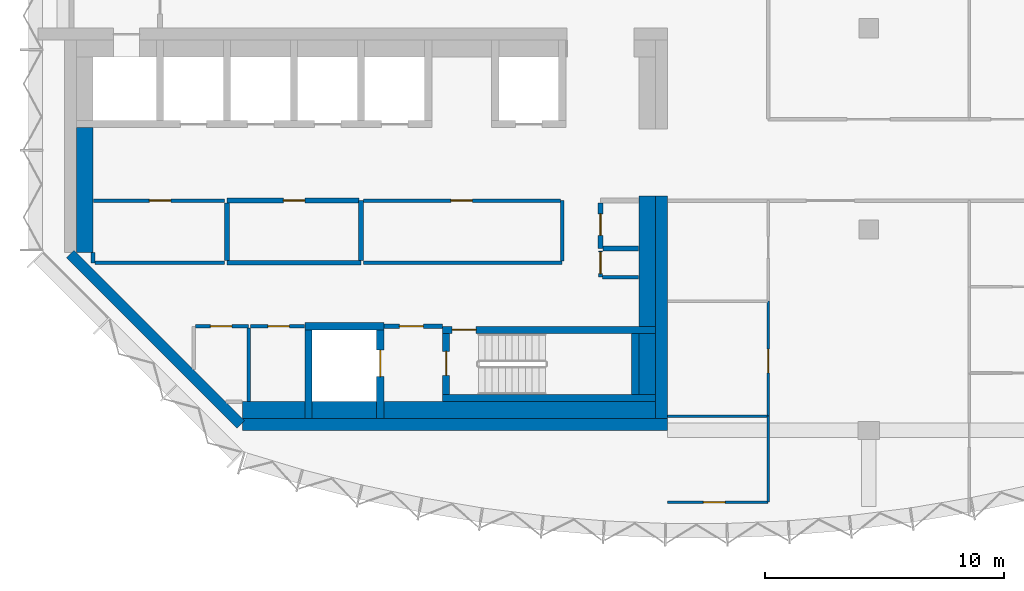
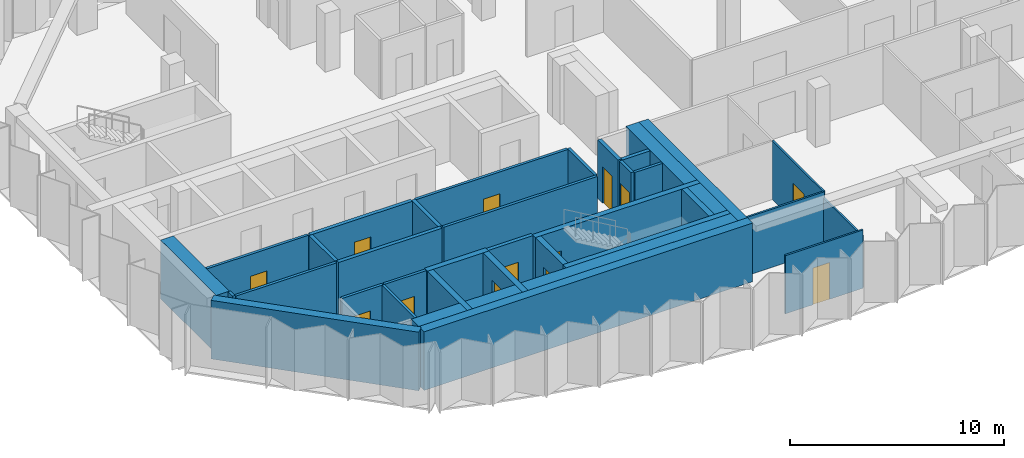
# One storey, part 4 of 9: 38 walls, 13 doors, 13 openings.
"""IFC4 building model written with IfcOpenShell, lengths in metres."""

from ifc_helpers import new_model, si_unit, direction, frame, frame_2d, origin, place, context, subcontext, project, spatial, rectangle, extrude, material, layer, layer_set, type_object, element, fill, save


model = new_model("IFC4")

# Units and contexts
model_context = context("Model", 3, precision=1e-05, world=origin(), true_north=direction((0.0, 1.0)))
body_context = subcontext(model_context, "Body", "Model", "MODEL_VIEW")
ifc_project = project(units=[si_unit("LENGTHUNIT", "METRE"), si_unit("AREAUNIT", "SQUARE_METRE"), si_unit("VOLUMEUNIT", "CUBIC_METRE"), si_unit("PLANEANGLEUNIT", "RADIAN"), si_unit("MASSUNIT", "GRAM", prefix="KILO")], contexts=[model_context])

# Site, building, storey
site_placement = place(None, origin())
site = spatial("IfcSite", under=ifc_project, at=site_placement, CompositionType="ELEMENT")
building_placement = place(site_placement, origin())
building = spatial("IfcBuilding", under=site, at=building_placement, Name="Brevane Broadcast Tower", CompositionType="ELEMENT")
storey_placement = place(building_placement, frame((0.0, 0.0, 222.89990234375)))
storey = spatial("IfcBuildingStorey", under=building, at=storey_placement, Name="L56", CompositionType="ELEMENT", Elevation=222.89990234375)

# Walls
ifc_material_1 = material(Name="Concrete C32/40", Category="concrete")
ifc_layer_1 = layer(ifc_material_1, 0.699951171875)
ifc_layer_set_1 = layer_set([ifc_layer_1], Name="Core chase wall 700 mm")
wall_type_1 = type_object("IfcWallType", Name="Core chase wall 700 mm", PredefinedType="PARTITIONING", material=ifc_layer_set_1)
wall_1_placement = place(storey_placement, frame((0.85009765625, 7.436279296875, 0.0), z_axis=(0.0, 0.0, 1.0), x_axis=(0.0, 1.0, 0.0)))
element("IfcWall", 1, at=wall_1_placement, inside=storey, type_object=wall_type_1, Name="L56 chase wall LW-1", PredefinedType="PARTITIONING", context=body_context, shape_type="SweptSolid", body=[
    extrude(rectangle(XDim=5.213623046875, YDim=0.699951171875, at=frame_2d((2.60693359375, 0.0))), origin(), (0.0, 0.0, 1.0), 3.35009765625),
])
wall_2_placement = place(storey_placement, frame((7.436279296875, 0.85009765625, 0.0), z_axis=(0.0, 0.0, 1.0), x_axis=(1.0, 0.0, 0.0)))
element("IfcWall", 2, at=wall_2_placement, inside=storey, type_object=wall_type_1, Name="L56 chase wall LS-1", PredefinedType="PARTITIONING", context=body_context, shape_type="SweptSolid", body=[
    extrude(rectangle(XDim=2.61376953125, YDim=0.699951171875, at=frame_2d((1.306884765625, 0.0))), origin(), (0.0, 0.0, 1.0), 3.35009765625),
])
wall_3_placement = place(storey_placement, frame((10.35009765625, 0.85009765625, 0.0), z_axis=(0.0, 0.0, 1.0), x_axis=(1.0, 0.0, 0.0)))
element("IfcWall", 3, at=wall_3_placement, inside=storey, type_object=wall_type_1, Name="L56 chase wall LS-2-1", PredefinedType="PARTITIONING", context=body_context, shape_type="SweptSolid", body=[
    extrude(rectangle(XDim=2.699951171875, YDim=0.699951171875, at=frame_2d((1.35009765625, 0.0))), origin(), (0.0, 0.0, 1.0), 3.35009765625),
])
wall_4_placement = place(storey_placement, frame((13.35009765625, 0.85009765625, 0.0), z_axis=(0.0, 0.0, 1.0), x_axis=(1.0, 0.0, 0.0)))
element("IfcWall", 4, at=wall_4_placement, inside=storey, type_object=wall_type_1, Name="L56 chase wall LS-2-2", PredefinedType="PARTITIONING", context=body_context, shape_type="SweptSolid", body=[
    extrude(rectangle(XDim=11.349853515625, YDim=0.699951171875, at=frame_2d((5.6748046875, 0.0))), origin(), (0.0, 0.0, 1.0), 3.35009765625),
])
wall_5_placement = place(storey_placement, frame((24.35009765625, 1.5, 0.0), z_axis=(0.0, 0.0, 1.0), x_axis=(0.0, 1.0, 0.0)))
element("IfcWall", 5, at=wall_5_placement, inside=storey, type_object=wall_type_1, Name="L56 chase wall LE1-2-1", PredefinedType="PARTITIONING", context=body_context, shape_type="SweptSolid", body=[
    extrude(rectangle(XDim=2.550048828125, YDim=0.699951171875, at=frame_2d((1.27490234375, 0.0))), origin(), (0.0, 0.0, 1.0), 3.35009765625),
])
wall_6_placement = place(storey_placement, frame((24.35009765625, 4.35009765625, 0.0), z_axis=(0.0, 0.0, 1.0), x_axis=(0.0, 1.0, 0.0)))
element("IfcWall", 6, at=wall_6_placement, inside=storey, type_object=wall_type_1, Name="L56 chase wall LE1-2-2", PredefinedType="PARTITIONING", context=body_context, shape_type="SweptSolid", body=[
    extrude(rectangle(XDim=5.449951171875, YDim=0.699951171875, at=frame_2d((2.72509765625, 0.0))), origin(), (0.0, 0.0, 1.0), 3.35009765625),
])

# Wall, opening, door
ifc_material_2 = material(Name="Gypsum board on steel studs", Category="steel")
ifc_layer_2 = layer(ifc_material_2, 0.14990234375)
ifc_layer_set_2 = layer_set([ifc_layer_2], Name="Core fire partition 150 mm")
wall_type_2 = type_object("IfcWallType", Name="Core fire partition 150 mm", PredefinedType="PARTITIONING", material=ifc_layer_set_2)
wall_7_placement = place(storey_placement, frame((5.47509765625, 4.35009765625, 0.0), z_axis=(0.0, 0.0, 1.0), x_axis=(1.0, 0.0, 0.0)))
wall_7 = element("IfcWall", 7, at=wall_7_placement, inside=storey, type_object=wall_type_2, Name="L56 partition wall P12", PredefinedType="PARTITIONING", context=body_context, shape_type="SweptSolid", body=[
    extrude(rectangle(XDim=2.224853515625, YDim=0.14990234375, at=frame_2d((1.1123046875, 0.0))), origin(), (0.0, 0.0, 1.0), 3.35009765625),
])
opening_1_placement = place(wall_7_placement, frame((0.625, 0.0, 0.0)))
opening_1 = element("IfcOpeningElement", 8, at=opening_1_placement, cuts=wall_7, Name="Opening L56-K14", PredefinedType="OPENING", context=body_context, shape_type="SweptSolid", body=[
    extrude(rectangle(XDim=0.89990234375, YDim=2.10009765625, at=frame_2d((0.449951171875, 1.050048828125))), frame((0.0, 0.0849609375, 0.0), z_axis=(0.0, -1.0, 0.0), x_axis=(1.0, 0.0, 0.0)), (0.0, 0.0, 1.0), 0.169921875),
])
ifc_material_3 = material(Name="Timber", Category="wood")
door_type_1 = type_object("IfcDoorType", Name="Toilet door 900 x 2100", OperationType="SINGLE_SWING_LEFT", PredefinedType="DOOR", material=ifc_material_3)
door_1_placement = place(opening_1_placement, origin())
door_1 = element("IfcDoor", 9, at=door_1_placement, inside=storey, type_object=door_type_1, Name="Door L56-K14", OperationType="SINGLE_SWING_LEFT", OverallHeight=2.10009765625, OverallWidth=0.89990234375, PredefinedType="DOOR", context=body_context, shape_type="SweptSolid", body=[
    extrude(rectangle(XDim=0.89990234375, YDim=2.10009765625, at=frame_2d((0.449951171875, 1.050048828125))), frame((0.0, 0.02490234375, 0.0), z_axis=(0.0, -1.0, 0.0), x_axis=(1.0, 0.0, 0.0)), (0.0, 0.0, 1.0), 0.050048828125),
])
fill(opening_1, door_1)

# Wall
wall_8_placement = place(storey_placement, frame((7.699951171875, 4.27490234375, 0.0), z_axis=(0.0, 0.0, 1.0), x_axis=(0.0, -1.0, 0.0)))
element("IfcWall", 10, at=wall_8_placement, inside=storey, type_object=wall_type_2, Name="L56 partition wall P13", PredefinedType="PARTITIONING", context=body_context, shape_type="SweptSolid", body=[
    extrude(rectangle(XDim=3.06298828125, YDim=0.14990234375, at=frame_2d((1.531494140625, 0.0))), origin(), (0.0, 0.0, 1.0), 3.35009765625),
])

# Wall, opening, door
wall_9_placement = place(storey_placement, frame((6.699951171875, 9.60009765625, 0.0), z_axis=(0.0, 0.0, 1.0), x_axis=(-1.0, 0.0, 0.0)))
wall_9 = element("IfcWall", 11, at=wall_9_placement, inside=storey, type_object=wall_type_2, Name="L56 partition wall P15", PredefinedType="PARTITIONING", context=body_context, shape_type="SweptSolid", body=[
    extrude(rectangle(XDim=5.488037109375, YDim=0.14990234375, at=frame_2d((2.744140625, 0.0))), origin(), (0.0, 0.0, 1.0), 3.35009765625),
])
opening_2_placement = place(wall_9_placement, frame((2.25, 0.0, 0.0)))
opening_2 = element("IfcOpeningElement", 12, at=opening_2_placement, cuts=wall_9, Name="Opening L56-K19", PredefinedType="OPENING", context=body_context, shape_type="SweptSolid", body=[
    extrude(rectangle(XDim=0.89990234375, YDim=2.10009765625, at=frame_2d((0.449951171875, 1.050048828125))), frame((0.0, 0.0849609375, 0.0), z_axis=(0.0, -1.0, 0.0), x_axis=(1.0, 0.0, 0.0)), (0.0, 0.0, 1.0), 0.169921875),
])
ifc_material_4 = material(Name="Steel", Category="steel")
door_type_2 = type_object("IfcDoorType", Name="Service room door 900 x 2100", OperationType="SINGLE_SWING_LEFT", PredefinedType="DOOR", material=ifc_material_4)
door_2_placement = place(opening_2_placement, origin())
door_2 = element("IfcDoor", 13, at=door_2_placement, inside=storey, type_object=door_type_2, Name="Door L56-K19", OperationType="SINGLE_SWING_RIGHT", OverallHeight=2.10009765625, OverallWidth=0.89990234375, PredefinedType="DOOR", context=body_context, shape_type="SweptSolid", body=[
    extrude(rectangle(XDim=0.89990234375, YDim=2.10009765625, at=frame_2d((0.449951171875, 1.050048828125))), frame((0.0, 0.02490234375, 0.0), z_axis=(0.0, -1.0, 0.0), x_axis=(1.0, 0.0, 0.0)), (0.0, 0.0, 1.0), 0.050048828125),
])
fill(opening_2, door_2)

# Walls
wall_10_placement = place(storey_placement, frame((1.199951171875, 7.42431640625, 0.0), z_axis=(0.0, 0.0, 1.0), x_axis=(0.0, -1.0, 0.0)))
element("IfcWall", 14, at=wall_10_placement, inside=storey, type_object=wall_type_2, Name="L56 partition wall P16", PredefinedType="PARTITIONING", context=body_context, shape_type="SweptSolid", body=[
    extrude(rectangle(XDim=0.42431640625, YDim=0.14990234375, at=frame_2d((0.212158203125, 0.0))), origin(), (0.0, 0.0, 1.0), 3.35009765625),
])
wall_11_placement = place(storey_placement, frame((1.27490234375, 7.0, 0.0), z_axis=(0.0, 0.0, 1.0), x_axis=(1.0, 0.0, 0.0)))
element("IfcWall", 15, at=wall_11_placement, inside=storey, type_object=wall_type_2, Name="L56 partition wall P17", PredefinedType="PARTITIONING", context=body_context, shape_type="SweptSolid", body=[
    extrude(rectangle(XDim=5.425048828125, YDim=0.14990234375, at=frame_2d((2.71240234375, 0.0))), origin(), (0.0, 0.0, 1.0), 3.35009765625),
])

# Wall, opening, door
wall_12_placement = place(storey_placement, frame((10.0380859375, 4.35009765625, 0.0), z_axis=(0.0, 0.0, 1.0), x_axis=(-1.0, 0.0, 0.0)))
wall_12 = element("IfcWall", 16, at=wall_12_placement, inside=storey, type_object=wall_type_2, Name="L56 partition wall P18", PredefinedType="PARTITIONING", context=body_context, shape_type="SweptSolid", body=[
    extrude(rectangle(XDim=2.26318359375, YDim=0.14990234375, at=frame_2d((1.131591796875, 0.0))), origin(), (0.0, 0.0, 1.0), 3.35009765625),
])
opening_3_placement = place(wall_12_placement, frame((0.637939453125, 0.0, 0.0)))
opening_3 = element("IfcOpeningElement", 17, at=opening_3_placement, cuts=wall_12, Name="Opening L56-K15", PredefinedType="OPENING", context=body_context, shape_type="SweptSolid", body=[
    extrude(rectangle(XDim=0.89990234375, YDim=2.10009765625, at=frame_2d((0.449951171875, 1.050048828125))), frame((0.0, 0.0849609375, 0.0), z_axis=(0.0, -1.0, 0.0), x_axis=(1.0, 0.0, 0.0)), (0.0, 0.0, 1.0), 0.169921875),
])
door_3_placement = place(opening_3_placement, origin())
door_3 = element("IfcDoor", 18, at=door_3_placement, inside=storey, type_object=door_type_1, Name="Door L56-K15", OperationType="SINGLE_SWING_RIGHT", OverallHeight=2.10009765625, OverallWidth=0.89990234375, PredefinedType="DOOR", context=body_context, shape_type="SweptSolid", body=[
    extrude(rectangle(XDim=0.89990234375, YDim=2.10009765625, at=frame_2d((0.449951171875, 1.050048828125))), frame((0.0, 0.02490234375, 0.0), z_axis=(0.0, -1.0, 0.0), x_axis=(1.0, 0.0, 0.0)), (0.0, 0.0, 1.0), 0.050048828125),
])
fill(opening_3, door_3)

# Walls
wall_13_placement = place(storey_placement, frame((12.5, 7.0, 0.0), z_axis=(0.0, 0.0, 1.0), x_axis=(1.0, 0.0, 0.0)))
element("IfcWall", 19, at=wall_13_placement, inside=storey, type_object=wall_type_2, Name="L56 partition wall P19", PredefinedType="PARTITIONING", context=body_context, shape_type="SweptSolid", body=[
    extrude(rectangle(XDim=8.300048828125, YDim=0.14990234375, at=frame_2d((4.14990234375, 0.0))), origin(), (0.0, 0.0, 1.0), 3.35009765625),
])
wall_14_placement = place(storey_placement, frame((20.800048828125, 7.074951171875, 0.0), z_axis=(0.0, 0.0, 1.0), x_axis=(0.0, 1.0, 0.0)))
element("IfcWall", 20, at=wall_14_placement, inside=storey, type_object=wall_type_2, Name="L56 partition wall P20", PredefinedType="PARTITIONING", context=body_context, shape_type="SweptSolid", body=[
    extrude(rectangle(XDim=2.525146484375, YDim=0.14990234375, at=frame_2d((1.2626953125, 0.0))), origin(), (0.0, 0.0, 1.0), 3.35009765625),
])

# Wall, opening, door
wall_15_placement = place(storey_placement, frame((20.72509765625, 9.60009765625, 0.0), z_axis=(0.0, 0.0, 1.0), x_axis=(-1.0, 0.0, 0.0)))
wall_15 = element("IfcWall", 21, at=wall_15_placement, inside=storey, type_object=wall_type_2, Name="L56 partition wall P21", PredefinedType="PARTITIONING", context=body_context, shape_type="SweptSolid", body=[
    extrude(rectangle(XDim=8.22509765625, YDim=0.14990234375, at=frame_2d((4.112548828125, 0.0))), origin(), (0.0, 0.0, 1.0), 3.35009765625),
])
opening_4_placement = place(wall_15_placement, frame((3.675048828125, 0.0, 0.0)))
opening_4 = element("IfcOpeningElement", 22, at=opening_4_placement, cuts=wall_15, Name="Opening L56-K21", PredefinedType="OPENING", context=body_context, shape_type="SweptSolid", body=[
    extrude(rectangle(XDim=0.89990234375, YDim=2.10009765625, at=frame_2d((0.449951171875, 1.050048828125))), frame((0.0, 0.0849609375, 0.0), z_axis=(0.0, -1.0, 0.0), x_axis=(1.0, 0.0, 0.0)), (0.0, 0.0, 1.0), 0.169921875),
])
door_4_placement = place(opening_4_placement, origin())
door_4 = element("IfcDoor", 23, at=door_4_placement, inside=storey, type_object=door_type_2, Name="Door L56-K21", OperationType="SINGLE_SWING_RIGHT", OverallHeight=2.10009765625, OverallWidth=0.89990234375, PredefinedType="DOOR", context=body_context, shape_type="SweptSolid", body=[
    extrude(rectangle(XDim=0.89990234375, YDim=2.10009765625, at=frame_2d((0.449951171875, 1.050048828125))), frame((0.0, 0.02490234375, 0.0), z_axis=(0.0, -1.0, 0.0), x_axis=(1.0, 0.0, 0.0)), (0.0, 0.0, 1.0), 0.050048828125),
])
fill(opening_4, door_4)

wall_16_placement = place(storey_placement, frame((22.39990234375, 7.5, 0.0), z_axis=(0.0, 0.0, 1.0), x_axis=(0.0, -1.0, 0.0)))
wall_16 = element("IfcWall", 24, at=wall_16_placement, inside=storey, type_object=wall_type_2, Name="L56 partition wall P29", PredefinedType="PARTITIONING", context=body_context, shape_type="SweptSolid", body=[
    extrude(rectangle(XDim=1.10009765625, YDim=0.14990234375, at=frame_2d((0.550048828125, 0.0))), origin(), (0.0, 0.0, 1.0), 3.35009765625),
])
opening_5_placement = place(wall_16_placement, frame((0.050048828125, 0.0, 0.0)))
opening_5 = element("IfcOpeningElement", 25, at=opening_5_placement, cuts=wall_16, Name="Opening L56-K17", PredefinedType="OPENING", context=body_context, shape_type="SweptSolid", body=[
    extrude(rectangle(XDim=0.89990234375, YDim=2.10009765625, at=frame_2d((0.449951171875, 1.050048828125))), frame((0.0, 0.0849609375, 0.0), z_axis=(0.0, -1.0, 0.0), x_axis=(1.0, 0.0, 0.0)), (0.0, 0.0, 1.0), 0.169921875),
])
door_5_placement = place(opening_5_placement, origin())
door_5 = element("IfcDoor", 26, at=door_5_placement, inside=storey, type_object=door_type_2, Name="Door L56-K17", OperationType="SINGLE_SWING_RIGHT", OverallHeight=2.10009765625, OverallWidth=0.89990234375, PredefinedType="DOOR", context=body_context, shape_type="SweptSolid", body=[
    extrude(rectangle(XDim=0.89990234375, YDim=2.10009765625, at=frame_2d((0.449951171875, 1.050048828125))), frame((0.0, 0.02490234375, 0.0), z_axis=(0.0, -1.0, 0.0), x_axis=(1.0, 0.0, 0.0)), (0.0, 0.0, 1.0), 0.050048828125),
])
fill(opening_5, door_5)

# Wall
wall_17_placement = place(storey_placement, frame((22.47509765625, 6.39990234375, 0.0), z_axis=(0.0, 0.0, 1.0), x_axis=(1.0, 0.0, 0.0)))
element("IfcWall", 27, at=wall_17_placement, inside=storey, type_object=wall_type_2, Name="L56 partition wall P30", PredefinedType="PARTITIONING", context=body_context, shape_type="SweptSolid", body=[
    extrude(rectangle(XDim=1.512939453125, YDim=0.14990234375, at=frame_2d((0.75634765625, 0.0))), origin(), (0.0, 0.0, 1.0), 3.35009765625),
])

# Wall, opening, door
ifc_layer_3 = layer(ifc_material_2, 0.199951171875)
ifc_layer_set_3 = layer_set([ifc_layer_3], Name="Core fire partition 200 mm")
wall_type_3 = type_object("IfcWallType", Name="Core fire partition 200 mm", PredefinedType="PARTITIONING", material=ifc_layer_set_3)
wall_18_placement = place(storey_placement, frame((13.362060546875, 4.35009765625, 0.0), z_axis=(0.0, 0.0, 1.0), x_axis=(1.0, 0.0, 0.0)))
wall_18 = element("IfcWall", 28, at=wall_18_placement, inside=storey, type_object=wall_type_3, Name="L56 partition wall P03", PredefinedType="PARTITIONING", context=body_context, shape_type="SweptSolid", body=[
    extrude(rectangle(XDim=2.426025390625, YDim=0.199951171875, at=frame_2d((1.212890625, 0.0))), origin(), (0.0, 0.0, 1.0), 3.35009765625),
])
opening_6_placement = place(wall_18_placement, frame((0.637939453125, 0.0, 0.0)))
opening_6 = element("IfcOpeningElement", 29, at=opening_6_placement, cuts=wall_18, Name="Opening L56-K16", PredefinedType="OPENING", context=body_context, shape_type="SweptSolid", body=[
    extrude(rectangle(XDim=1.0, YDim=2.10009765625, at=frame_2d((0.5, 1.050048828125))), frame((0.0, 0.10986328125, 0.0), z_axis=(0.0, -1.0, 0.0), x_axis=(1.0, 0.0, 0.0)), (0.0, 0.0, 1.0), 0.219970703125),
])
door_type_3 = type_object("IfcDoorType", Name="Stair door 1000 x 2100", OperationType="SINGLE_SWING_LEFT", PredefinedType="DOOR", material=ifc_material_4)
door_6_placement = place(opening_6_placement, origin())
door_6 = element("IfcDoor", 30, at=door_6_placement, inside=storey, type_object=door_type_3, Name="Door L56-K16", OperationType="SINGLE_SWING_LEFT", OverallHeight=2.10009765625, OverallWidth=1.0, PredefinedType="DOOR", context=body_context, shape_type="SweptSolid", body=[
    extrude(rectangle(XDim=1.0, YDim=2.10009765625, at=frame_2d((0.5, 1.050048828125))), frame((0.0, 0.02490234375, 0.0), z_axis=(0.0, -1.0, 0.0), x_axis=(1.0, 0.0, 0.0)), (0.0, 0.0, 1.0), 0.050048828125),
])
fill(opening_6, door_6)

wall_19_placement = place(storey_placement, frame((22.39990234375, 9.5, 0.0), z_axis=(0.0, 0.0, 1.0), x_axis=(0.0, -1.0, 0.0)))
wall_19 = element("IfcWall", 31, at=wall_19_placement, inside=storey, type_object=wall_type_3, Name="L56 partition wall P05", PredefinedType="PARTITIONING", context=body_context, shape_type="SweptSolid", body=[
    extrude(rectangle(XDim=1.89990234375, YDim=0.199951171875, at=frame_2d((0.949951171875, 0.0))), origin(), (0.0, 0.0, 1.0), 3.35009765625),
])
opening_7_placement = place(wall_19_placement, frame((0.449951171875, 0.0, 0.0)))
opening_7 = element("IfcOpeningElement", 32, at=opening_7_placement, cuts=wall_19, Name="Opening L56-K18", PredefinedType="OPENING", context=body_context, shape_type="SweptSolid", body=[
    extrude(rectangle(XDim=0.89990234375, YDim=2.10009765625, at=frame_2d((0.449951171875, 1.050048828125))), frame((0.0, 0.10986328125, 0.0), z_axis=(0.0, -1.0, 0.0), x_axis=(1.0, 0.0, 0.0)), (0.0, 0.0, 1.0), 0.219970703125),
])
door_7_placement = place(opening_7_placement, origin())
door_7 = element("IfcDoor", 33, at=door_7_placement, inside=storey, type_object=door_type_2, Name="Door L56-K18", OperationType="SINGLE_SWING_LEFT", OverallHeight=2.10009765625, OverallWidth=0.89990234375, PredefinedType="DOOR", context=body_context, shape_type="SweptSolid", body=[
    extrude(rectangle(XDim=0.89990234375, YDim=2.10009765625, at=frame_2d((0.449951171875, 1.050048828125))), frame((0.0, 0.02490234375, 0.0), z_axis=(0.0, -1.0, 0.0), x_axis=(1.0, 0.0, 0.0)), (0.0, 0.0, 1.0), 0.050048828125),
])
fill(opening_7, door_7)

# Walls
wall_20_placement = place(storey_placement, frame((22.5, 7.60009765625, 0.0), z_axis=(0.0, 0.0, 1.0), x_axis=(1.0, 0.0, 0.0)))
element("IfcWall", 34, at=wall_20_placement, inside=storey, type_object=wall_type_3, Name="L56 partition wall P06", PredefinedType="PARTITIONING", context=body_context, shape_type="SweptSolid", body=[
    extrude(rectangle(XDim=1.488037109375, YDim=0.199951171875, at=frame_2d((0.744140625, 0.0))), origin(), (0.0, 0.0, 1.0), 3.35009765625),
])
wall_21_placement = place(storey_placement, frame((6.800048828125, 7.0, 0.0), z_axis=(0.0, 0.0, 1.0), x_axis=(1.0, 0.0, 0.0)))
element("IfcWall", 35, at=wall_21_placement, inside=storey, type_object=wall_type_3, Name="L56 partition wall P07", PredefinedType="PARTITIONING", context=body_context, shape_type="SweptSolid", body=[
    extrude(rectangle(XDim=5.599853515625, YDim=0.199951171875, at=frame_2d((2.7998046875, 0.0))), origin(), (0.0, 0.0, 1.0), 3.35009765625),
])
wall_22_placement = place(storey_placement, frame((12.39990234375, 7.10009765625, 0.0), z_axis=(0.0, 0.0, 1.0), x_axis=(0.0, 1.0, 0.0)))
element("IfcWall", 36, at=wall_22_placement, inside=storey, type_object=wall_type_3, Name="L56 partition wall P08", PredefinedType="PARTITIONING", context=body_context, shape_type="SweptSolid", body=[
    extrude(rectangle(XDim=2.5, YDim=0.199951171875, at=frame_2d((1.25, 0.0))), origin(), (0.0, 0.0, 1.0), 3.35009765625),
])

# Wall, opening, door
wall_23_placement = place(storey_placement, frame((12.300048828125, 9.60009765625, 0.0), z_axis=(0.0, 0.0, 1.0), x_axis=(-1.0, 0.0, 0.0)))
wall_23 = element("IfcWall", 37, at=wall_23_placement, inside=storey, type_object=wall_type_3, Name="L56 partition wall P09", PredefinedType="PARTITIONING", context=body_context, shape_type="SweptSolid", body=[
    extrude(rectangle(XDim=5.5, YDim=0.199951171875, at=frame_2d((2.75, 0.0))), origin(), (0.0, 0.0, 1.0), 3.35009765625),
])
opening_8_placement = place(wall_23_placement, frame((2.25, 0.0, 0.0)))
opening_8 = element("IfcOpeningElement", 38, at=opening_8_placement, cuts=wall_23, Name="Opening L56-K20", PredefinedType="OPENING", context=body_context, shape_type="SweptSolid", body=[
    extrude(rectangle(XDim=0.89990234375, YDim=2.10009765625, at=frame_2d((0.449951171875, 1.050048828125))), frame((0.0, 0.10986328125, 0.0), z_axis=(0.0, -1.0, 0.0), x_axis=(1.0, 0.0, 0.0)), (0.0, 0.0, 1.0), 0.219970703125),
])
door_8_placement = place(opening_8_placement, origin())
door_8 = element("IfcDoor", 39, at=door_8_placement, inside=storey, type_object=door_type_2, Name="Door L56-K20", OperationType="SINGLE_SWING_LEFT", OverallHeight=2.10009765625, OverallWidth=0.89990234375, PredefinedType="DOOR", context=body_context, shape_type="SweptSolid", body=[
    extrude(rectangle(XDim=0.89990234375, YDim=2.10009765625, at=frame_2d((0.449951171875, 1.050048828125))), frame((0.0, 0.02490234375, 0.0), z_axis=(0.0, -1.0, 0.0), x_axis=(1.0, 0.0, 0.0)), (0.0, 0.0, 1.0), 0.050048828125),
])
fill(opening_8, door_8)

# Walls
wall_24_placement = place(storey_placement, frame((6.800048828125, 9.5, 0.0), z_axis=(0.0, 0.0, 1.0), x_axis=(0.0, -1.0, 0.0)))
element("IfcWall", 40, at=wall_24_placement, inside=storey, type_object=wall_type_3, Name="L56 partition wall P10", PredefinedType="PARTITIONING", context=body_context, shape_type="SweptSolid", body=[
    extrude(rectangle(XDim=2.39990234375, YDim=0.199951171875, at=frame_2d((1.199951171875, 0.0))), origin(), (0.0, 0.0, 1.0), 3.35009765625),
])
ifc_material_5 = material(Name="Concrete C50/60", Category="concrete")
ifc_layer_4 = layer(ifc_material_5, 0.300048828125)
ifc_layer_set_4 = layer_set([ifc_layer_4], Name="Core wall 300 mm C50/60")
wall_type_4 = type_object("IfcWallType", Name="Core wall 300 mm C50/60", PredefinedType="SHEAR", material=ifc_layer_set_4)
wall_25_placement = place(storey_placement, frame((10.199951171875, 0.5, 0.0), z_axis=(0.0, 0.0, 1.0), x_axis=(0.0, 1.0, 0.0)))
element("IfcWall", 41, at=wall_25_placement, inside=storey, type_object=wall_type_4, Name="L56 shaft wall FF2-W", PredefinedType="SHEAR", context=body_context, shape_type="SweptSolid", body=[
    extrude(rectangle(XDim=3.699951171875, YDim=0.300048828125, at=frame_2d((1.85009765625, 0.0))), origin(), (0.0, 0.0, 1.0), 3.35009765625),
])

# Wall, opening, door
wall_26_placement = place(storey_placement, frame((13.199951171875, 0.5, 0.0), z_axis=(0.0, 0.0, 1.0), x_axis=(0.0, 1.0, 0.0)))
wall_26 = element("IfcWall", 42, at=wall_26_placement, inside=storey, type_object=wall_type_4, Name="L56 shaft wall FF2-E", PredefinedType="SHEAR", context=body_context, shape_type="SweptSolid", body=[
    extrude(rectangle(XDim=3.699951171875, YDim=0.300048828125, at=frame_2d((1.85009765625, 0.0))), origin(), (0.0, 0.0, 1.0), 3.35009765625),
])
opening_9_placement = place(wall_26_placement, frame((1.75, 0.0, 0.0)))
opening_9 = element("IfcOpeningElement", 43, at=opening_9_placement, cuts=wall_26, Name="Opening LD", PredefinedType="OPENING", context=body_context, shape_type="SweptSolid", body=[
    extrude(rectangle(XDim=1.10009765625, YDim=2.300048828125, at=frame_2d((0.550048828125, 1.14990234375))), frame((0.0, 0.159912109375, 0.0), z_axis=(0.0, -1.0, 0.0), x_axis=(1.0, 0.0, 0.0)), (0.0, 0.0, 1.0), 0.320068359375),
])
ifc_material_6 = material(Name="Stainless steel", Category="steel")
door_type_4 = type_object("IfcDoorType", Name="Lift landing door", OperationType="SLIDING_TO_LEFT", PredefinedType="DOOR", material=ifc_material_6)
door_9_placement = place(opening_9_placement, origin())
door_9 = element("IfcDoor", 44, at=door_9_placement, inside=storey, type_object=door_type_4, Name="Landing door FF2 L56", OperationType="SLIDING_TO_LEFT", OverallHeight=2.300048828125, OverallWidth=1.10009765625, PredefinedType="DOOR", context=body_context, shape_type="SweptSolid", body=[
    extrude(rectangle(XDim=1.10009765625, YDim=2.300048828125, at=frame_2d((0.550048828125, 1.14990234375))), frame((0.0, 0.02490234375, 0.0), z_axis=(0.0, -1.0, 0.0), x_axis=(1.0, 0.0, 0.0)), (0.0, 0.0, 1.0), 0.050048828125),
])
fill(opening_9, door_9)

# Walls
wall_27_placement = place(storey_placement, frame((10.050048828125, 4.35009765625, 0.0), z_axis=(0.0, 0.0, 1.0), x_axis=(1.0, 0.0, 0.0)))
element("IfcWall", 45, at=wall_27_placement, inside=storey, type_object=wall_type_4, Name="L56 shaft wall FF2-N", PredefinedType="SHEAR", context=body_context, shape_type="SweptSolid", body=[
    extrude(rectangle(XDim=3.300048828125, YDim=0.300048828125, at=frame_2d((1.64990234375, 0.0))), origin(), (0.0, 0.0, 1.0), 3.35009765625),
])
wall_28_placement = place(storey_placement, frame((15.800048828125, 1.35009765625, 0.0), z_axis=(0.0, 0.0, 1.0), x_axis=(1.0, 0.0, 0.0)))
element("IfcWall", 46, at=wall_28_placement, inside=storey, type_object=wall_type_4, Name="L56 stair wall ST-2-S", PredefinedType="SHEAR", context=body_context, shape_type="SweptSolid", body=[
    extrude(rectangle(XDim=8.89990234375, YDim=0.300048828125, at=frame_2d((4.449951171875, 0.0))), origin(), (0.0, 0.0, 1.0), 3.35009765625),
])

# Wall, opening, door
wall_29_placement = place(storey_placement, frame((15.800048828125, 4.199951171875, 0.0), z_axis=(0.0, 0.0, 1.0), x_axis=(1.0, 0.0, 0.0)))
wall_29 = element("IfcWall", 47, at=wall_29_placement, inside=storey, type_object=wall_type_4, Name="L56 stair wall ST-2-N", PredefinedType="SHEAR", context=body_context, shape_type="SweptSolid", body=[
    extrude(rectangle(XDim=8.89990234375, YDim=0.300048828125, at=frame_2d((4.449951171875, 0.0))), origin(), (0.0, 0.0, 1.0), 3.35009765625),
])
opening_10_placement = place(wall_29_placement, frame((0.39990234375, 0.0, 0.0)))
opening_10 = element("IfcOpeningElement", 48, at=opening_10_placement, cuts=wall_29, Name="Opening L56-K11", PredefinedType="OPENING", context=body_context, shape_type="SweptSolid", body=[
    extrude(rectangle(XDim=1.0, YDim=2.10009765625, at=frame_2d((0.5, 1.050048828125))), frame((0.0, 0.159912109375, 0.0), z_axis=(0.0, -1.0, 0.0), x_axis=(1.0, 0.0, 0.0)), (0.0, 0.0, 1.0), 0.320068359375),
])
door_10_placement = place(opening_10_placement, origin())
door_10 = element("IfcDoor", 49, at=door_10_placement, inside=storey, type_object=door_type_3, Name="Door L56-K11", OperationType="SINGLE_SWING_RIGHT", OverallHeight=2.10009765625, OverallWidth=1.0, PredefinedType="DOOR", context=body_context, shape_type="SweptSolid", body=[
    extrude(rectangle(XDim=1.0, YDim=2.10009765625, at=frame_2d((0.5, 1.050048828125))), frame((0.0, 0.02490234375, 0.0), z_axis=(0.0, -1.0, 0.0), x_axis=(1.0, 0.0, 0.0)), (0.0, 0.0, 1.0), 0.050048828125),
])
fill(opening_10, door_10)

wall_30_placement = place(storey_placement, frame((15.949951171875, 1.5, 0.0), z_axis=(0.0, 0.0, 1.0), x_axis=(0.0, 1.0, 0.0)))
wall_30 = element("IfcWall", 50, at=wall_30_placement, inside=storey, type_object=wall_type_4, Name="L56 stair wall ST-2-W", PredefinedType="SHEAR", context=body_context, shape_type="SweptSolid", body=[
    extrude(rectangle(XDim=2.550048828125, YDim=0.300048828125, at=frame_2d((1.27490234375, 0.0))), origin(), (0.0, 0.0, 1.0), 3.35009765625),
])
opening_11_placement = place(wall_30_placement, frame((0.800048828125, 0.0, 0.0)))
opening_11 = element("IfcOpeningElement", 51, at=opening_11_placement, cuts=wall_30, Name="Opening L56-K10", PredefinedType="OPENING", context=body_context, shape_type="SweptSolid", body=[
    extrude(rectangle(XDim=1.0, YDim=2.10009765625, at=frame_2d((0.5, 1.050048828125))), frame((0.0, 0.159912109375, 0.0), z_axis=(0.0, -1.0, 0.0), x_axis=(1.0, 0.0, 0.0)), (0.0, 0.0, 1.0), 0.320068359375),
])
door_11_placement = place(opening_11_placement, origin())
door_11 = element("IfcDoor", 52, at=door_11_placement, inside=storey, type_object=door_type_3, Name="Door L56-K10", OperationType="SINGLE_SWING_LEFT", OverallHeight=2.10009765625, OverallWidth=1.0, PredefinedType="DOOR", context=body_context, shape_type="SweptSolid", body=[
    extrude(rectangle(XDim=1.0, YDim=2.10009765625, at=frame_2d((0.5, 1.050048828125))), frame((0.0, 0.02490234375, 0.0), z_axis=(0.0, -1.0, 0.0), x_axis=(1.0, 0.0, 0.0)), (0.0, 0.0, 1.0), 0.050048828125),
])
fill(opening_11, door_11)

# Walls
wall_31_placement = place(storey_placement, frame((23.85009765625, 1.5, 0.0), z_axis=(0.0, 0.0, 1.0), x_axis=(0.0, 1.0, 0.0)))
element("IfcWall", 53, at=wall_31_placement, inside=storey, type_object=wall_type_4, Name="L56 stair wall ST-2-E", PredefinedType="SHEAR", context=body_context, shape_type="SweptSolid", body=[
    extrude(rectangle(XDim=2.550048828125, YDim=0.300048828125, at=frame_2d((1.27490234375, 0.0))), origin(), (0.0, 0.0, 1.0), 3.35009765625),
])
ifc_layer_5 = layer(ifc_material_5, 0.449951171875)
ifc_layer_set_5 = layer_set([ifc_layer_5], Name="Core wall 450 mm C50/60")
wall_type_5 = type_object("IfcWallType", Name="Core wall 450 mm C50/60", PredefinedType="SHEAR", material=ifc_layer_set_5)
wall_32_placement = place(storey_placement, frame((0.25, 7.3681640625, 0.0), z_axis=(0.0, 0.0, 1.0), x_axis=(0.707106781187, -0.707106781187, 0.0)))
element("IfcWall", 54, at=wall_32_placement, inside=storey, type_object=wall_type_5, Name="L56 outer wall WC", PredefinedType="SHEAR", context=body_context, shape_type="SweptSolid", body=[
    extrude(rectangle(XDim=10.066650390625, YDim=0.449951171875, at=frame_2d((5.033203125, 0.0))), origin(), (0.0, 0.0, 1.0), 3.35009765625),
])
ifc_layer_6 = layer(ifc_material_5, 0.5)
ifc_layer_set_6 = layer_set([ifc_layer_6], Name="Core wall 500 mm C50/60")
wall_type_6 = type_object("IfcWallType", Name="Core wall 500 mm C50/60", PredefinedType="SHEAR", material=ifc_layer_set_6)
wall_33_placement = place(storey_placement, frame((7.436279296875, 0.25, 0.0), z_axis=(0.0, 0.0, 1.0), x_axis=(1.0, 0.0, 0.0)))
element("IfcWall", 55, at=wall_33_placement, inside=storey, type_object=wall_type_6, Name="L56 outer wall WS", PredefinedType="SHEAR", context=body_context, shape_type="SweptSolid", body=[
    extrude(rectangle(XDim=17.763671875, YDim=0.5, at=frame_2d((8.8818359375, 0.0))), origin(), (0.0, 0.0, 1.0), 3.35009765625),
])
wall_34_placement = place(storey_placement, frame((24.949951171875, 0.5, 0.0), z_axis=(0.0, 0.0, 1.0), x_axis=(0.0, 1.0, 0.0)))
element("IfcWall", 56, at=wall_34_placement, inside=storey, type_object=wall_type_6, Name="L56 outer wall WE1", PredefinedType="SHEAR", context=body_context, shape_type="SweptSolid", body=[
    extrude(rectangle(XDim=9.300048828125, YDim=0.5, at=frame_2d((4.64990234375, 0.0))), origin(), (0.0, 0.0, 1.0), 3.35009765625),
])

# Wall, opening, door
ifc_material_7 = material(Name="Gypsum board partition")
ifc_layer_7 = layer(ifc_material_7, 0.10009765625)
ifc_layer_set_7 = layer_set([ifc_layer_7], Name="PARTITION 100 STUD")
wall_type_7 = type_object("IfcWallType", Name="PARTITION 100 STUD", PredefinedType="PARTITIONING", material=ifc_layer_set_7)
wall_35_placement = place(storey_placement, frame((25.199951171875, -3.0, 0.0), z_axis=(0.0, 0.0, 1.0), x_axis=(1.0, 0.0, 0.0)))
wall_35 = element("IfcWall", 57, at=wall_35_placement, inside=storey, type_object=wall_type_7, Name="Partition G17-017", PredefinedType="PARTITIONING", context=body_context, shape_type="SweptSolid", body=[
    extrude(rectangle(XDim=4.199951171875, YDim=0.10009765625, at=frame_2d((2.10009765625, 0.0))), origin(), (0.0, 0.0, 1.0), 3.330078125),
])
opening_12_placement = place(wall_35_placement, frame((1.5, 0.0, 0.0)))
opening_12 = element("IfcOpeningElement", 58, at=opening_12_placement, cuts=wall_35, Name="Opening D28-007", PredefinedType="OPENING", context=body_context, shape_type="SweptSolid", body=[
    extrude(rectangle(XDim=0.89990234375, YDim=2.10009765625, at=frame_2d((0.449951171875, 1.050048828125))), frame((0.0, 0.06005859375, 0.0), z_axis=(0.0, -1.0, 0.0), x_axis=(1.0, 0.0, 0.0)), (0.0, 0.0, 1.0), 0.1201171875),
])
ifc_material_8 = material(Name="Timber door leaf", Category="wood")
door_type_5 = type_object("IfcDoorType", Name="DOOR SINGLE 900 INTERNAL", OperationType="SINGLE_SWING_LEFT", PredefinedType="DOOR", material=ifc_material_8)
door_12_placement = place(opening_12_placement, origin())
door_12 = element("IfcDoor", 59, at=door_12_placement, inside=storey, type_object=door_type_5, Name="Door D28-007", OperationType="SINGLE_SWING_LEFT", OverallHeight=2.10009765625, OverallWidth=0.89990234375, PredefinedType="DOOR", context=body_context, shape_type="SweptSolid", body=[
    extrude(rectangle(XDim=0.89990234375, YDim=2.10009765625, at=frame_2d((0.449951171875, 1.050048828125))), frame((0.0, 0.02490234375, 0.0), z_axis=(0.0, -1.0, 0.0), x_axis=(1.0, 0.0, 0.0)), (0.0, 0.0, 1.0), 0.050048828125),
])
fill(opening_12, door_12)

# Wall
wall_36_placement = place(storey_placement, frame((29.39990234375, -3.0, 0.0), z_axis=(0.0, 0.0, 1.0), x_axis=(0.0, 1.0, 0.0)))
element("IfcWall", 60, at=wall_36_placement, inside=storey, type_object=wall_type_7, Name="Partition G17-018", PredefinedType="PARTITIONING", context=body_context, shape_type="SweptSolid", body=[
    extrude(rectangle(XDim=3.60009765625, YDim=0.10009765625, at=frame_2d((1.800048828125, 0.0))), origin(), (0.0, 0.0, 1.0), 2.97998046875),
])

# Wall, opening, door
wall_37_placement = place(storey_placement, frame((29.39990234375, 0.60009765625, 0.0), z_axis=(0.0, 0.0, 1.0), x_axis=(0.0, 1.0, 0.0)))
wall_37 = element("IfcWall", 61, at=wall_37_placement, inside=storey, type_object=wall_type_7, Name="Partition G17-019", PredefinedType="PARTITIONING", context=body_context, shape_type="SweptSolid", body=[
    extrude(rectangle(XDim=4.7998046875, YDim=0.10009765625, at=frame_2d((2.39990234375, 0.0))), origin(), (0.0, 0.0, 1.0), 3.330078125),
])
opening_13_placement = place(wall_37_placement, frame((1.800048828125, 0.0, 0.0)))
opening_13 = element("IfcOpeningElement", 62, at=opening_13_placement, cuts=wall_37, Name="Opening D28-008", PredefinedType="OPENING", context=body_context, shape_type="SweptSolid", body=[
    extrude(rectangle(XDim=1.0, YDim=2.10009765625, at=frame_2d((0.5, 1.050048828125))), frame((0.0, 0.06005859375, 0.0), z_axis=(0.0, -1.0, 0.0), x_axis=(1.0, 0.0, 0.0)), (0.0, 0.0, 1.0), 0.1201171875),
])
door_type_6 = type_object("IfcDoorType", Name="DOOR SINGLE 1000 INTERNAL", OperationType="SINGLE_SWING_LEFT", PredefinedType="DOOR", material=ifc_material_8)
door_13_placement = place(opening_13_placement, origin())
door_13 = element("IfcDoor", 63, at=door_13_placement, inside=storey, type_object=door_type_6, Name="Door D28-008", OperationType="SINGLE_SWING_LEFT", OverallHeight=2.10009765625, OverallWidth=1.0, PredefinedType="DOOR", context=body_context, shape_type="SweptSolid", body=[
    extrude(rectangle(XDim=1.0, YDim=2.10009765625, at=frame_2d((0.5, 1.050048828125))), frame((0.0, 0.02490234375, 0.0), z_axis=(0.0, -1.0, 0.0), x_axis=(1.0, 0.0, 0.0)), (0.0, 0.0, 1.0), 0.050048828125),
])
fill(opening_13, door_13)

# Wall
wall_38_placement = place(storey_placement, frame((25.199951171875, 0.60009765625, 0.0), z_axis=(0.0, 0.0, 1.0), x_axis=(1.0, 0.0, 0.0)))
element("IfcWall", 64, at=wall_38_placement, inside=storey, type_object=wall_type_7, Name="Partition G17-028", PredefinedType="PARTITIONING", context=body_context, shape_type="SweptSolid", body=[
    extrude(rectangle(XDim=4.199951171875, YDim=0.10009765625, at=frame_2d((2.10009765625, 0.0))), origin(), (0.0, 0.0, 1.0), 3.330078125),
])

save(model, "model.ifc")
